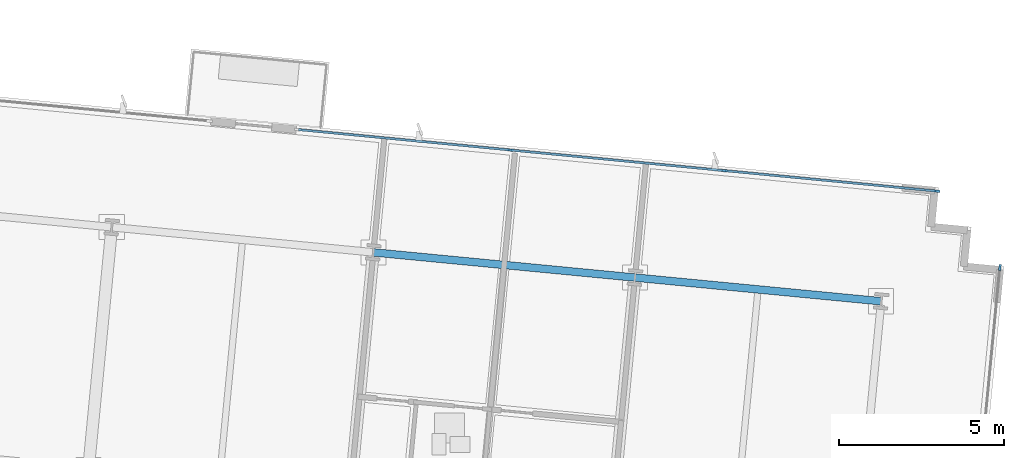
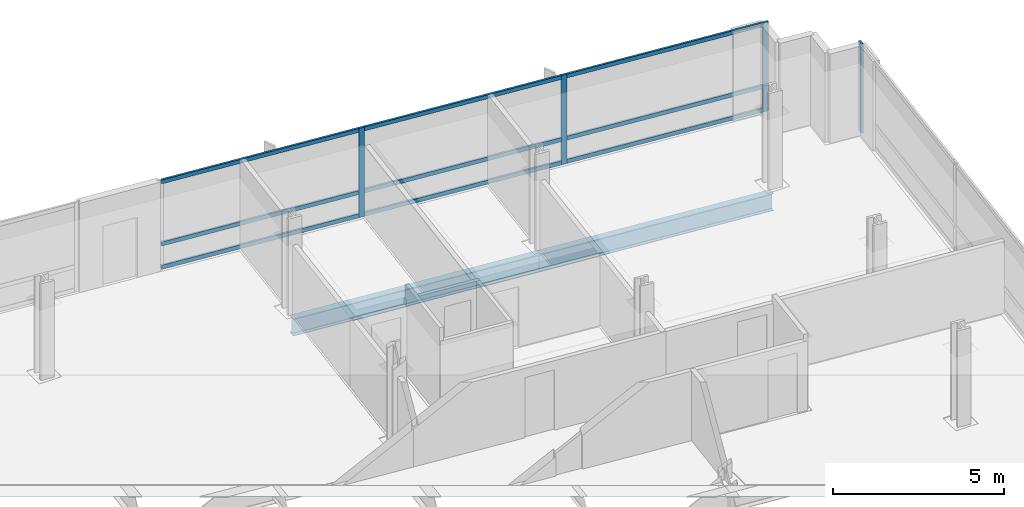
# One storey, part 8 of 17: 13 members, 2 beams, 2 elements without a shape of their own.
"""IFC4 building model written with IfcOpenShell, lengths in metres."""

from ifc_helpers import new_model, si_unit, direction, frame, origin, origin_2d, place, context, subcontext, project, spatial, rectangle, i_section, extrude, material, material_profile, profile_set, type_object, element, aggregate, save


model = new_model("IFC4")

# Units and contexts
model_context = context("Model", 3, precision=1e-05, world=origin(), true_north=direction((0.0, 1.0)))
body_context = subcontext(model_context, "Body", "Model", "MODEL_VIEW")
ifc_project = project(units=[si_unit("LENGTHUNIT", "METRE"), si_unit("AREAUNIT", "SQUARE_METRE"), si_unit("VOLUMEUNIT", "CUBIC_METRE"), si_unit("PLANEANGLEUNIT", "RADIAN"), si_unit("MASSUNIT", "GRAM", prefix="KILO")], contexts=[model_context])

# Site, building, storey
site_placement = place(None, origin())
site = spatial("IfcSite", under=ifc_project, at=site_placement, CompositionType="ELEMENT")
building_placement = place(site_placement, origin())
building = spatial("IfcBuilding", under=site, at=building_placement, Name="Solmavex Isthmus Hotel", CompositionType="ELEMENT")
storey_placement = place(building_placement, frame((0.0, 0.0, 163.5)))
storey = spatial("IfcBuildingStorey", under=building, at=storey_placement, Name="L44", CompositionType="ELEMENT", Elevation=163.5)

# Beams
ifc_material_1 = material(Name="Steel ASTM A992 Grade 50", Category="steel")
ifc_material_profile_1 = material_profile(ifc_material_1, i_section(OverallWidth=0.230224609375, OverallDepth=0.617431640625, WebThickness=0.01318359375, FlangeThickness=0.022216796875, FilletRadius=0.01513671875, at=origin_2d()), Name="W24X94")
ifc_profile_set_1 = profile_set([ifc_material_profile_1], Name="Steel ASTM A992 Grade 50")
beam_type = type_object("IfcBeamType", Name="BM-SP-W24X94", PredefinedType="SPANDREL", material=ifc_profile_set_1)
beam_1_placement = place(storey_placement, frame((9.1953125, 17.966552734375, -0.56884765625), z_axis=(0.995397440011, -0.095832856685, 0.0), x_axis=(0.095832856685, 0.995397440011, 0.0)))
element("IfcBeam", 1, at=beam_1_placement, inside=storey, type_object=beam_type, Name="Floor Girder L44-UG19", PredefinedType="SPANDREL", context=body_context, shape_type="SweptSolid", body=[
    extrude(i_section(OverallWidth=0.230224609375, OverallDepth=0.617431640625, WebThickness=0.01318359375, FlangeThickness=0.022216796875, FilletRadius=0.01513671875, at=origin_2d()), origin(), (0.0, 0.0, 1.0), 7.9560546875),
])
beam_2_placement = place(storey_placement, frame((17.11474609375, 17.2041015625, -0.56884765625), z_axis=(0.995395279593, -0.095855293875, 0.0), x_axis=(0.095855293875, 0.995395279593, 0.0)))
element("IfcBeam", 2, at=beam_2_placement, inside=storey, type_object=beam_type, Name="Floor Girder L44-UG20", PredefinedType="SPANDREL", context=body_context, shape_type="SweptSolid", body=[
    extrude(i_section(OverallWidth=0.230224609375, OverallDepth=0.617431640625, WebThickness=0.01318359375, FlangeThickness=0.022216796875, FilletRadius=0.01513671875, at=origin_2d()), origin(), (0.0, 0.0, 1.0), 7.488037109375),
])

# Curtain wall, members
ifc_material_2 = material(Name="Aluminium alloy 6063-T6", Category="aluminium")
curtain_wall_type = type_object("IfcCurtainWallType", Name="CW-SYS-03", PredefinedType="NOTDEFINED", material=ifc_material_2)
curtain_wall_1_placement = place(storey_placement, origin())
curtain_wall_1 = element("IfcCurtainWall", 3, at=curtain_wall_1_placement, inside=storey, type_object=curtain_wall_type, Name="Stick Curtain Wall CWL-L44-N3", PredefinedType="NOTDEFINED")
ifc_material_profile_2 = material_profile(ifc_material_2, rectangle(XDim=0.070068359375, YDim=0.179931640625, at=origin_2d()), Name="CWM-70X180")
ifc_profile_set_2 = profile_set([ifc_material_profile_2], Name="Aluminium alloy 6063-T6")
member_type_1 = type_object("IfcMemberType", Name="CW-SYS-03-MUL", PredefinedType="MULLION", material=ifc_profile_set_2)
member_1_placement = place(storey_placement, frame((13.340576171875, 21.0634765625, 0.0), z_axis=(0.0, 0.0, 1.0), x_axis=(0.095845735304, 0.995396200025, 0.0)))
member_1 = element("IfcMember", 4, at=member_1_placement, type_object=member_type_1, Name="CW-03 mullion 2", PredefinedType="MULLION", context=body_context, shape_type="SweptSolid", body=[
    extrude(rectangle(XDim=0.070068359375, YDim=0.179931640625, at=origin_2d()), origin(), (0.0, 0.0, 1.0), 3.18994140625),
])
member_2_placement = place(storey_placement, frame((19.818115234375, 20.439697265625, 0.0), z_axis=(0.0, 0.0, 1.0), x_axis=(0.095845735304, 0.995396200025, 0.0)))
member_2 = element("IfcMember", 5, at=member_2_placement, type_object=member_type_1, Name="CW-03 mullion 3", PredefinedType="MULLION", context=body_context, shape_type="SweptSolid", body=[
    extrude(rectangle(XDim=0.070068359375, YDim=0.179931640625, at=origin_2d()), origin(), (0.0, 0.0, 1.0), 3.18994140625),
])
member_3_placement = place(storey_placement, frame((26.260498046875, 19.819580078125, 0.0), z_axis=(0.0, 0.0, 1.0), x_axis=(0.095845735304, 0.995396200025, 0.0)))
member_3 = element("IfcMember", 6, at=member_3_placement, type_object=member_type_1, Name="CW-03 mullion 4", PredefinedType="MULLION", context=body_context, shape_type="SweptSolid", body=[
    extrude(rectangle(XDim=0.070068359375, YDim=0.179931640625, at=origin_2d()), origin(), (0.0, 0.0, 1.0), 3.18994140625),
])

# Curtain wall, member
curtain_wall_2_placement = place(storey_placement, origin())
curtain_wall_2 = element("IfcCurtainWall", 7, at=curtain_wall_2_placement, inside=storey, type_object=curtain_wall_type, Name="Stick Curtain Wall CWL-L44-E1", PredefinedType="NOTDEFINED")
member_4_placement = place(storey_placement, frame((28.1630859375, 17.511474609375, 0.0), z_axis=(0.0, 0.0, 1.0), x_axis=(-0.995396190038, 0.09584583902, 0.0)))
member_4 = element("IfcMember", 8, at=member_4_placement, type_object=member_type_1, Name="CW-03 mullion 6", PredefinedType="MULLION", context=body_context, shape_type="SweptSolid", body=[
    extrude(rectangle(XDim=0.070068359375, YDim=0.179931640625, at=origin_2d()), origin(), (0.0, 0.0, 1.0), 3.18994140625),
])
aggregate(curtain_wall_2, [member_4])

# Member
ifc_material_profile_3 = material_profile(ifc_material_2, rectangle(XDim=0.070068359375, YDim=0.139892578125, at=origin_2d()), Name="CWT-70X140")
ifc_profile_set_3 = profile_set([ifc_material_profile_3], Name="Aluminium alloy 6063-T6")
member_type_2 = type_object("IfcMemberType", Name="CW-SYS-03-TRN", PredefinedType="USERDEFINED", material=ifc_profile_set_3)
member_5_placement = place(storey_placement, frame((6.932861328125, 21.680419921875, 0.070068359375), z_axis=(0.995398123793, -0.095825754103, 0.0), x_axis=(0.095825754103, 0.995398123793, 0.0)))
member_5 = element("IfcMember", 9, at=member_5_placement, type_object=member_type_2, Name="CW-03 transom 1.1", ObjectType="TRANSOM", PredefinedType="USERDEFINED", context=body_context, shape_type="SweptSolid", body=[
    extrude(rectangle(XDim=0.070068359375, YDim=0.139892578125, at=origin_2d()), origin(), (0.0, 0.0, 1.0), 6.402587890625),
])

member_6_placement = place(storey_placement, frame((6.932861328125, 21.680419921875, 0.89990234375), z_axis=(0.995398123793, -0.095825754103, 0.0), x_axis=(0.095825754103, 0.995398123793, 0.0)))
member_6 = element("IfcMember", 10, at=member_6_placement, type_object=member_type_2, Name="CW-03 transom 1.2", ObjectType="TRANSOM", PredefinedType="USERDEFINED", context=body_context, shape_type="SweptSolid", body=[
    extrude(rectangle(XDim=0.070068359375, YDim=0.139892578125, at=origin_2d()), origin(), (0.0, 0.0, 1.0), 6.402587890625),
])

member_7_placement = place(storey_placement, frame((6.932861328125, 21.680419921875, 3.1201171875), z_axis=(0.995398123793, -0.095825754103, 0.0), x_axis=(0.095825754103, 0.995398123793, 0.0)))
member_7 = element("IfcMember", 11, at=member_7_placement, type_object=member_type_2, Name="CW-03 transom 1.3", ObjectType="TRANSOM", PredefinedType="USERDEFINED", context=body_context, shape_type="SweptSolid", body=[
    extrude(rectangle(XDim=0.070068359375, YDim=0.139892578125, at=origin_2d()), origin(), (0.0, 0.0, 1.0), 6.402587890625),
])

member_8_placement = place(storey_placement, frame((13.37548828125, 21.06005859375, 0.070068359375), z_axis=(0.995396930529, -0.095838148421, 0.0), x_axis=(0.095838148421, 0.995396930529, 0.0)))
member_8 = element("IfcMember", 12, at=member_8_placement, type_object=member_type_2, Name="CW-03 transom 2.1", ObjectType="TRANSOM", PredefinedType="USERDEFINED", context=body_context, shape_type="SweptSolid", body=[
    extrude(rectangle(XDim=0.070068359375, YDim=0.139892578125, at=origin_2d()), origin(), (0.0, 0.0, 1.0), 6.437255859375),
])

member_9_placement = place(storey_placement, frame((13.37548828125, 21.06005859375, 0.89990234375), z_axis=(0.995396930529, -0.095838148421, 0.0), x_axis=(0.095838148421, 0.995396930529, 0.0)))
member_9 = element("IfcMember", 13, at=member_9_placement, type_object=member_type_2, Name="CW-03 transom 2.2", ObjectType="TRANSOM", PredefinedType="USERDEFINED", context=body_context, shape_type="SweptSolid", body=[
    extrude(rectangle(XDim=0.070068359375, YDim=0.139892578125, at=origin_2d()), origin(), (0.0, 0.0, 1.0), 6.437255859375),
])

member_10_placement = place(storey_placement, frame((13.37548828125, 21.06005859375, 3.1201171875), z_axis=(0.995396930529, -0.095838148421, 0.0), x_axis=(0.095838148421, 0.995396930529, 0.0)))
member_10 = element("IfcMember", 14, at=member_10_placement, type_object=member_type_2, Name="CW-03 transom 2.3", ObjectType="TRANSOM", PredefinedType="USERDEFINED", context=body_context, shape_type="SweptSolid", body=[
    extrude(rectangle(XDim=0.070068359375, YDim=0.139892578125, at=origin_2d()), origin(), (0.0, 0.0, 1.0), 6.437255859375),
])

member_11_placement = place(storey_placement, frame((19.852783203125, 20.4365234375, 0.070068359375), z_axis=(0.995394485876, -0.09586353576, 0.0), x_axis=(0.09586353576, 0.995394485876, 0.0)))
member_11 = element("IfcMember", 15, at=member_11_placement, type_object=member_type_2, Name="CW-03 transom 3.1", ObjectType="TRANSOM", PredefinedType="USERDEFINED", context=body_context, shape_type="SweptSolid", body=[
    extrude(rectangle(XDim=0.070068359375, YDim=0.139892578125, at=origin_2d()), origin(), (0.0, 0.0, 1.0), 6.402587890625),
])

member_12_placement = place(storey_placement, frame((19.852783203125, 20.4365234375, 0.89990234375), z_axis=(0.995394485876, -0.09586353576, 0.0), x_axis=(0.09586353576, 0.995394485876, 0.0)))
member_12 = element("IfcMember", 16, at=member_12_placement, type_object=member_type_2, Name="CW-03 transom 3.2", ObjectType="TRANSOM", PredefinedType="USERDEFINED", context=body_context, shape_type="SweptSolid", body=[
    extrude(rectangle(XDim=0.070068359375, YDim=0.139892578125, at=origin_2d()), origin(), (0.0, 0.0, 1.0), 6.402587890625),
])

member_13_placement = place(storey_placement, frame((19.852783203125, 20.4365234375, 3.1201171875), z_axis=(0.995394485876, -0.09586353576, 0.0), x_axis=(0.09586353576, 0.995394485876, 0.0)))
member_13 = element("IfcMember", 17, at=member_13_placement, type_object=member_type_2, Name="CW-03 transom 3.3", ObjectType="TRANSOM", PredefinedType="USERDEFINED", context=body_context, shape_type="SweptSolid", body=[
    extrude(rectangle(XDim=0.070068359375, YDim=0.139892578125, at=origin_2d()), origin(), (0.0, 0.0, 1.0), 6.402587890625),
])

aggregate(curtain_wall_1, [member_1, member_2, member_3, member_5, member_6, member_7, member_8, member_9, member_10, member_11, member_12, member_13])

save(model, "model.ifc")
